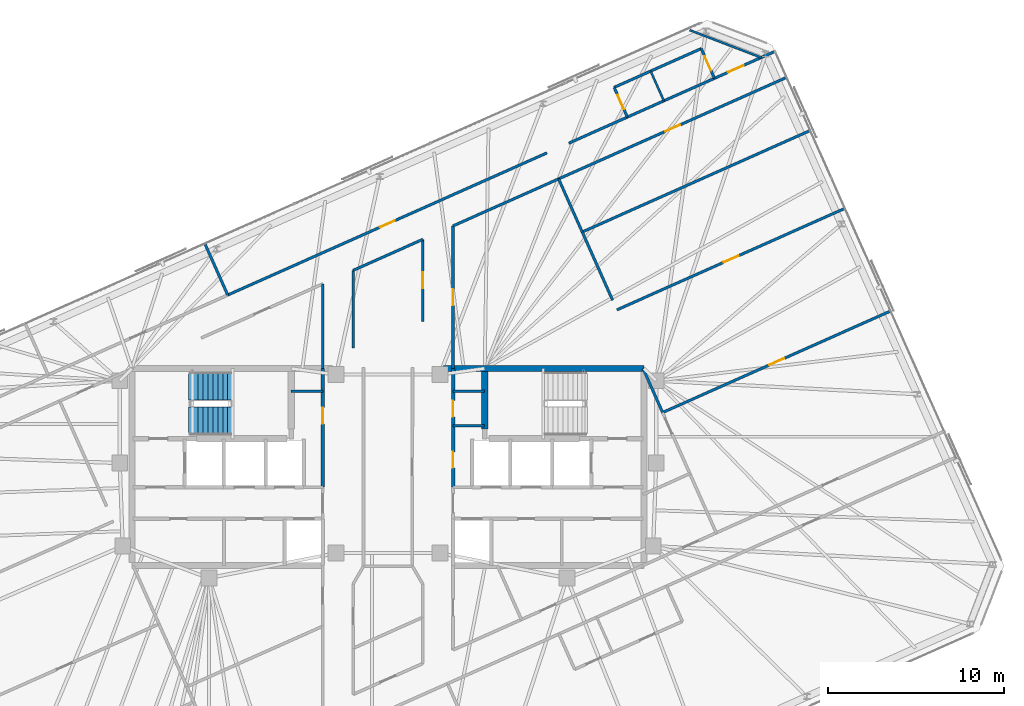
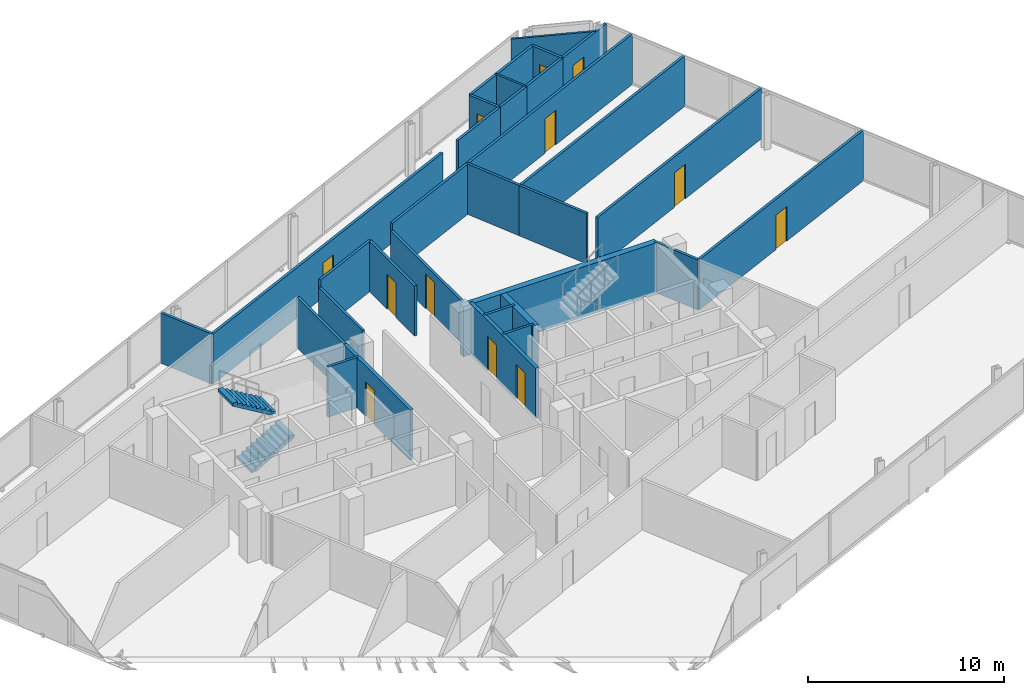
# One storey, part 16 of 18: 32 walls, 12 doors, 2 stair flights, 12 openings, 1 element without a shape of its own.
"""IFC4 building model written with IfcOpenShell, lengths in metres."""

from ifc_helpers import new_model, si_unit, direction, frame, frame_2d, origin, place, context, subcontext, project, spatial, polyline, rectangle, outline, extrude, material, layer, layer_set, type_object, element, fill, aggregate, save


model = new_model("IFC4")

# Units and contexts
model_context = context("Model", 3, precision=1e-05, world=origin(), true_north=direction((0.0, 1.0)))
body_context = subcontext(model_context, "Body", "Model", "MODEL_VIEW")
ifc_project = project(units=[si_unit("LENGTHUNIT", "METRE"), si_unit("AREAUNIT", "SQUARE_METRE"), si_unit("VOLUMEUNIT", "CUBIC_METRE"), si_unit("PLANEANGLEUNIT", "RADIAN"), si_unit("MASSUNIT", "GRAM", prefix="KILO")], contexts=[model_context])

# Site, building, storey
site_placement = place(None, origin())
site = spatial("IfcSite", under=ifc_project, at=site_placement, CompositionType="ELEMENT")
building_placement = place(site_placement, origin())
building = spatial("IfcBuilding", under=site, at=building_placement, Name="Menara Jurai Vektor", CompositionType="ELEMENT")
storey_placement = place(building_placement, frame((0.0, 0.0, 258.85009765625)))
storey = spatial("IfcBuildingStorey", under=building, at=storey_placement, Name="L69", CompositionType="ELEMENT", Elevation=258.85009765625)

# Walls
ifc_material_1 = material(Name="Gypsum Fireboard Partition", Category="gypsum")
ifc_layer_1 = layer(ifc_material_1, 0.14990234375)
ifc_layer_set_1 = layer_set([ifc_layer_1], Name="Gypsum Fireboard Partition")
wall_type_1 = type_object("IfcWallType", Name="INT-WALL-CORR-150", PredefinedType="PARTITIONING", material=ifc_layer_set_1)
for number, where, z_axis, x_axis, name in (
    (1, (-5.5, 4.300048828125, 0.0), (0.0, 0.0, 1.0), (1.0, 0.0, 0.0), "Interior Wall IW-150 L69"),
    (2, (3.699951171875, 4.300048828125, 0.0), (0.0, 0.0, 1.0), (1.0, 0.0, 0.0), "Interior Wall IW-150 L69"),
    (3, (3.699951171875, 2.35009765625, 0.0), (0.0, 0.0, 1.0), (1.0, 0.0, 0.0), "Interior Wall IW-150 L69"),
):
    element("IfcWall", number, at=place(storey_placement, frame(where, z_axis=z_axis, x_axis=x_axis)), inside=storey, type_object=wall_type_1, Name=name, PredefinedType="PARTITIONING", context=body_context, shape_type="SweptSolid", body=[
        extrude(rectangle(XDim=1.800048828125, YDim=0.14990234375, at=frame_2d((0.89990234375, 0.0))), origin(), (0.0, 0.0, 1.0), 3.125),
    ])
wall_1_placement = place(storey_placement, frame((10.27880859375, 18.4052734375, 0.0), z_axis=(0.0, 0.0, 1.0), x_axis=(0.913543802, 0.40674036169, 0.0)))
element("IfcWall", 4, at=wall_1_placement, inside=storey, type_object=wall_type_1, Name="Interior Wall IW-150 L69", PredefinedType="PARTITIONING", context=body_context, shape_type="SweptSolid", body=[
    extrude(rectangle(XDim=3.650146484375, YDim=0.14990234375, at=frame_2d((1.8251953125, 0.0))), origin(), (0.0, 0.0, 1.0), 3.125),
])

# Wall, opening, door
wall_2_placement = place(storey_placement, frame((18.564697265625, 22.094482421875, 0.0), z_axis=(0.0, 0.0, 1.0), x_axis=(0.913565694971, 0.406691186249, 0.0)))
wall_2 = element("IfcWall", 5, at=wall_2_placement, inside=storey, type_object=wall_type_1, Name="Interior Wall IW-150 L69", PredefinedType="PARTITIONING", context=body_context, shape_type="SweptSolid", body=[
    extrude(rectangle(XDim=3.77001953125, YDim=0.14990234375, at=frame_2d((1.885009765625, 0.0))), origin(), (0.0, 0.0, 1.0), 3.125),
])
opening_1_placement = place(wall_2_placement, frame((0.844482421875, 0.0, 0.0)))
opening_1 = element("IfcOpeningElement", 6, at=opening_1_placement, cuts=wall_2, Name="Opening D69-09", PredefinedType="OPENING", context=body_context, shape_type="SweptSolid", body=[
    extrude(rectangle(XDim=0.949951171875, YDim=2.14990234375, at=frame_2d((0.47509765625, 1.074951171875))), frame((0.0, 0.0849609375, 0.0), z_axis=(0.0, -1.0, 0.0), x_axis=(1.0, 0.0, 0.0)), (0.0, 0.0, 1.0), 0.169921875),
])
ifc_material_2 = material(Name="Solid Core Timber Fire Door", Category="wood")
door_type_1 = type_object("IfcDoorType", Name="DR-ENTRY-950", OperationType="NOTDEFINED", PredefinedType="DOOR", material=ifc_material_2)
door_1_placement = place(opening_1_placement, origin())
door_1 = element("IfcDoor", 7, at=door_1_placement, inside=storey, type_object=door_type_1, Name="Interior Door D69-09", OperationType="SINGLE_SWING_RIGHT", OverallHeight=2.14990234375, OverallWidth=0.949951171875, PredefinedType="DOOR", context=body_context, shape_type="SweptSolid", body=[
    extrude(rectangle(XDim=0.949951171875, YDim=2.14990234375, at=frame_2d((0.47509765625, 1.074951171875))), frame((0.0, 0.02490234375, 0.0), z_axis=(0.0, -1.0, 0.0), x_axis=(1.0, 0.0, 0.0)), (0.0, 0.0, 1.0), 0.050048828125),
])
fill(opening_1, door_1)

# Walls
wall_3_placement = place(storey_placement, frame((13.61328125, 19.889892578125, 0.0), z_axis=(0.0, 0.0, 1.0), x_axis=(0.913536363976, 0.406757067172, 0.0)))
element("IfcWall", 8, at=wall_3_placement, inside=storey, type_object=wall_type_1, Name="Interior Wall IW-150 L69", PredefinedType="PARTITIONING", context=body_context, shape_type="SweptSolid", body=[
    extrude(rectangle(XDim=2.27001953125, YDim=0.14990234375, at=frame_2d((1.135009765625, 0.0))), origin(), (0.0, 0.0, 1.0), 3.125),
])
wall_4_placement = place(storey_placement, frame((15.68701171875, 20.813232421875, 0.0), z_axis=(0.0, 0.0, 1.0), x_axis=(0.913542880558, 0.406742431252, 0.0)))
element("IfcWall", 9, at=wall_4_placement, inside=storey, type_object=wall_type_1, Name="Interior Wall IW-150 L69", PredefinedType="PARTITIONING", context=body_context, shape_type="SweptSolid", body=[
    extrude(rectangle(XDim=3.150146484375, YDim=0.14990234375, at=frame_2d((1.5751953125, 0.0))), origin(), (0.0, 0.0, 1.0), 3.125),
])
wall_5_placement = place(storey_placement, frame((3.69970703125, 13.702880859375, 0.0), z_axis=(0.0, 0.0, 1.0), x_axis=(0.913549363376, 0.406727870542, 0.0)))
element("IfcWall", 10, at=wall_5_placement, inside=storey, type_object=wall_type_1, Name="Interior Wall IW-150 L69", PredefinedType="PARTITIONING", context=body_context, shape_type="SweptSolid", body=[
    extrude(rectangle(XDim=6.571044921875, YDim=0.14990234375, at=frame_2d((3.28564453125, 0.0))), origin(), (0.0, 0.0, 1.0), 3.125),
])
wall_6_placement = place(storey_placement, frame((-1.979736328125, 11.174072265625, 0.0), z_axis=(0.0, 0.0, 1.0), x_axis=(0.913546598225, 0.406734081276, 0.0)))
element("IfcWall", 11, at=wall_6_placement, inside=storey, type_object=wall_type_1, Name="Interior Wall IW-150 L69", PredefinedType="PARTITIONING", context=body_context, shape_type="SweptSolid", body=[
    extrude(rectangle(XDim=4.3349609375, YDim=0.14990234375, at=frame_2d((2.16748046875, 0.0))), origin(), (0.0, 0.0, 1.0), 3.125),
])

# Wall, opening, door
wall_7_placement = place(storey_placement, frame((1.980224609375, 8.274169921875, 0.0), z_axis=(0.0, 0.0, 1.0), x_axis=(5.2356021e-05, 0.999999998629, 0.0)))
wall_7 = element("IfcWall", 12, at=wall_7_placement, inside=storey, type_object=wall_type_1, Name="Interior Wall IW-150 L69", PredefinedType="PARTITIONING", context=body_context, shape_type="SweptSolid", body=[
    extrude(rectangle(XDim=4.6630859375, YDim=0.14990234375, at=frame_2d((2.33154296875, 0.0))), origin(), (0.0, 0.0, 1.0), 3.125),
])
opening_2_placement = place(wall_7_placement, frame((1.87158203125, 0.0, 0.0)))
opening_2 = element("IfcOpeningElement", 13, at=opening_2_placement, cuts=wall_7, Name="Opening D69-34", PredefinedType="OPENING", context=body_context, shape_type="SweptSolid", body=[
    extrude(rectangle(XDim=0.919921875, YDim=2.14990234375, at=frame_2d((0.4599609375, 1.074951171875))), frame((0.0, 0.0849609375, 0.0), z_axis=(0.0, -1.0, 0.0), x_axis=(1.0, 0.0, 0.0)), (0.0, 0.0, 1.0), 0.169921875),
])
door_2_placement = place(opening_2_placement, origin())
door_2 = element("IfcDoor", 14, at=door_2_placement, inside=storey, type_object=door_type_1, Name="Interior Door D69-34", OperationType="SINGLE_SWING_LEFT", OverallHeight=2.14990234375, OverallWidth=0.919921875, PredefinedType="DOOR", context=body_context, shape_type="SweptSolid", body=[
    extrude(rectangle(XDim=0.919921875, YDim=2.14990234375, at=frame_2d((0.4599609375, 1.074951171875))), frame((0.0, 0.02490234375, 0.0), z_axis=(0.0, -1.0, 0.0), x_axis=(1.0, 0.0, 0.0)), (0.0, 0.0, 1.0), 0.050048828125),
])
fill(opening_2, door_2)

# Wall
wall_8_placement = place(storey_placement, frame((-3.7001953125, 5.599609375, 0.0), z_axis=(0.0, 0.0, 1.0), x_axis=(5.077173e-05, 0.999999998711, 0.0)))
element("IfcWall", 15, at=wall_8_placement, inside=storey, type_object=wall_type_1, Name="Interior Wall IW-150 L69", PredefinedType="PARTITIONING", context=body_context, shape_type="SweptSolid", body=[
    extrude(rectangle(XDim=4.80859375, YDim=0.14990234375, at=frame_2d((2.404296875, 0.0))), origin(), (0.0, 0.0, 1.0), 3.125),
])

# Wall, opening, door
wall_9_placement = place(storey_placement, frame((-9.109375, 9.773193359375, 0.0), z_axis=(0.0, 0.0, 1.0), x_axis=(0.913545361298, 0.406736859469, 0.0)))
wall_9 = element("IfcWall", 16, at=wall_9_placement, inside=storey, type_object=wall_type_1, Name="Interior Wall IW-150 L69", PredefinedType="PARTITIONING", context=body_context, shape_type="SweptSolid", body=[
    extrude(rectangle(XDim=19.87109375, YDim=0.14990234375, at=frame_2d((9.935546875, 0.0))), origin(), (0.0, 0.0, 1.0), 3.125),
])
opening_3_placement = place(wall_9_placement, frame((9.4755859375, 0.0, 0.0)))
opening_3 = element("IfcOpeningElement", 17, at=opening_3_placement, cuts=wall_9, Name="Opening D69-37", PredefinedType="OPENING", context=body_context, shape_type="SweptSolid", body=[
    extrude(rectangle(XDim=0.919921875, YDim=2.14990234375, at=frame_2d((0.4599609375, 1.074951171875))), frame((0.0, 0.0849609375, 0.0), z_axis=(0.0, -1.0, 0.0), x_axis=(1.0, 0.0, 0.0)), (0.0, 0.0, 1.0), 0.169921875),
])
door_3_placement = place(opening_3_placement, origin())
door_3 = element("IfcDoor", 18, at=door_3_placement, inside=storey, type_object=door_type_1, Name="Interior Door D69-37", OperationType="SINGLE_SWING_RIGHT", OverallHeight=2.14990234375, OverallWidth=0.919921875, PredefinedType="DOOR", context=body_context, shape_type="SweptSolid", body=[
    extrude(rectangle(XDim=0.919921875, YDim=2.14990234375, at=frame_2d((0.4599609375, 1.074951171875))), frame((0.0, 0.02490234375, 0.0), z_axis=(0.0, -1.0, 0.0), x_axis=(1.0, 0.0, 0.0)), (0.0, 0.0, 1.0), 0.050048828125),
])
fill(opening_3, door_3)

wall_10_placement = place(storey_placement, frame((9.70263671875, 16.37548828125, 0.0), z_axis=(0.0, 0.0, 1.0), x_axis=(0.913544622417, 0.406738519018, 0.0)))
wall_10 = element("IfcWall", 19, at=wall_10_placement, inside=storey, type_object=wall_type_1, Name="Interior Wall IW-150 L69", PredefinedType="PARTITIONING", context=body_context, shape_type="SweptSolid", body=[
    extrude(rectangle(XDim=14.192138671875, YDim=0.14990234375, at=frame_2d((7.09619140625, 0.0))), origin(), (0.0, 0.0, 1.0), 3.125),
])
opening_4_placement = place(wall_10_placement, frame((6.635986328125, 0.0, 0.0)))
opening_4 = element("IfcOpeningElement", 20, at=opening_4_placement, cuts=wall_10, Name="Opening D69-41", PredefinedType="OPENING", context=body_context, shape_type="SweptSolid", body=[
    extrude(rectangle(XDim=0.919921875, YDim=2.14990234375, at=frame_2d((0.4599609375, 1.074951171875))), frame((0.0, 0.0849609375, 0.0), z_axis=(0.0, -1.0, 0.0), x_axis=(1.0, 0.0, 0.0)), (0.0, 0.0, 1.0), 0.169921875),
])
door_4_placement = place(opening_4_placement, origin())
door_4 = element("IfcDoor", 21, at=door_4_placement, inside=storey, type_object=door_type_1, Name="Interior Door D69-41", OperationType="SINGLE_SWING_RIGHT", OverallHeight=2.14990234375, OverallWidth=0.919921875, PredefinedType="DOOR", context=body_context, shape_type="SweptSolid", body=[
    extrude(rectangle(XDim=0.919921875, YDim=2.14990234375, at=frame_2d((0.4599609375, 1.074951171875))), frame((0.0, 0.02490234375, 0.0), z_axis=(0.0, -1.0, 0.0), x_axis=(1.0, 0.0, 0.0)), (0.0, 0.0, 1.0), 0.050048828125),
])
fill(opening_4, door_4)

wall_11_placement = place(storey_placement, frame((13.61328125, 19.889892578125, 0.0), z_axis=(0.0, 0.0, 1.0), x_axis=(-0.406701600856, 0.913561058639, 0.0)))
wall_11 = element("IfcWall", 22, at=wall_11_placement, inside=storey, type_object=wall_type_1, Name="Interior Wall IW-150 L69", PredefinedType="PARTITIONING", context=body_context, shape_type="SweptSolid", body=[
    extrude(rectangle(XDim=1.85009765625, YDim=0.14990234375, at=frame_2d((0.925048828125, 0.0))), origin(), (0.0, 0.0, 1.0), 3.125),
])
opening_5_placement = place(wall_11_placement, frame((0.485107421875, 0.0, 0.0)))
opening_5 = element("IfcOpeningElement", 23, at=opening_5_placement, cuts=wall_11, Name="Opening D69-10", PredefinedType="OPENING", context=body_context, shape_type="SweptSolid", body=[
    extrude(rectangle(XDim=0.8798828125, YDim=2.14990234375, at=frame_2d((0.43994140625, 1.074951171875))), frame((0.0, 0.0849609375, 0.0), z_axis=(0.0, -1.0, 0.0), x_axis=(1.0, 0.0, 0.0)), (0.0, 0.0, 1.0), 0.169921875),
])
ifc_material_3 = material(Name="Moisture-Resistant Timber Door", Category="wood")
door_type_2 = type_object("IfcDoorType", Name="DR-BATH-880", OperationType="NOTDEFINED", PredefinedType="DOOR", material=ifc_material_3)
door_5_placement = place(opening_5_placement, origin())
door_5 = element("IfcDoor", 24, at=door_5_placement, inside=storey, type_object=door_type_2, Name="Interior Door D69-10", OperationType="SINGLE_SWING_LEFT", OverallHeight=2.14990234375, OverallWidth=0.8798828125, PredefinedType="DOOR", context=body_context, shape_type="SweptSolid", body=[
    extrude(rectangle(XDim=0.8798828125, YDim=2.14990234375, at=frame_2d((0.43994140625, 1.074951171875))), frame((0.0, 0.02490234375, 0.0), z_axis=(0.0, -1.0, 0.0), x_axis=(1.0, 0.0, 0.0)), (0.0, 0.0, 1.0), 0.050048828125),
])
fill(opening_5, door_5)

# Walls
wall_12_placement = place(storey_placement, frame((12.86083984375, 21.580078125, 0.0), z_axis=(0.0, 0.0, 1.0), x_axis=(0.913536363976, 0.406757067172, 0.0)))
element("IfcWall", 25, at=wall_12_placement, inside=storey, type_object=wall_type_1, Name="Interior Wall IW-150 L69", PredefinedType="PARTITIONING", context=body_context, shape_type="SweptSolid", body=[
    extrude(rectangle(XDim=2.27001953125, YDim=0.14990234375, at=frame_2d((1.135009765625, 0.0))), origin(), (0.0, 0.0, 1.0), 3.125),
])
wall_13_placement = place(storey_placement, frame((14.9345703125, 22.50341796875, 0.0), z_axis=(0.0, 0.0, 1.0), x_axis=(0.913571677955, 0.406677746181, 0.0)))
element("IfcWall", 26, at=wall_13_placement, inside=storey, type_object=wall_type_1, Name="Interior Wall IW-150 L69", PredefinedType="PARTITIONING", context=body_context, shape_type="SweptSolid", body=[
    extrude(rectangle(XDim=3.14990234375, YDim=0.14990234375, at=frame_2d((1.574951171875, 0.0))), origin(), (0.0, 0.0, 1.0), 3.125),
])

# Wall, opening, door
wall_14_placement = place(storey_placement, frame((18.564697265625, 22.094482421875, 0.0), z_axis=(0.0, 0.0, 1.0), x_axis=(-0.406750635596, 0.913539227643, 0.0)))
wall_14 = element("IfcWall", 27, at=wall_14_placement, inside=storey, type_object=wall_type_1, Name="Interior Wall IW-150 L69", PredefinedType="PARTITIONING", context=body_context, shape_type="SweptSolid", body=[
    extrude(rectangle(XDim=1.849853515625, YDim=0.14990234375, at=frame_2d((0.9248046875, 0.0))), origin(), (0.0, 0.0, 1.0), 3.125),
])
opening_6_placement = place(wall_14_placement, frame((0.47509765625, 0.0, 0.0)))
opening_6 = element("IfcOpeningElement", 28, at=opening_6_placement, cuts=wall_14, Name="Opening D69-11", PredefinedType="OPENING", context=body_context, shape_type="SweptSolid", body=[
    extrude(rectangle(XDim=0.89990234375, YDim=2.14990234375, at=frame_2d((0.449951171875, 1.074951171875))), frame((0.0, 0.0849609375, 0.0), z_axis=(0.0, -1.0, 0.0), x_axis=(1.0, 0.0, 0.0)), (0.0, 0.0, 1.0), 0.169921875),
])
ifc_material_4 = material(Name="Acoustic Timber Interior Door", Category="wood")
door_type_3 = type_object("IfcDoorType", Name="DR-ROOM-900", OperationType="NOTDEFINED", PredefinedType="DOOR", material=ifc_material_4)
door_6_placement = place(opening_6_placement, origin())
door_6 = element("IfcDoor", 29, at=door_6_placement, inside=storey, type_object=door_type_3, Name="Interior Door D69-11", OperationType="SINGLE_SWING_RIGHT", OverallHeight=2.14990234375, OverallWidth=0.89990234375, PredefinedType="DOOR", context=body_context, shape_type="SweptSolid", body=[
    extrude(rectangle(XDim=0.89990234375, YDim=2.14990234375, at=frame_2d((0.449951171875, 1.074951171875))), frame((0.0, 0.02490234375, 0.0), z_axis=(0.0, -1.0, 0.0), x_axis=(1.0, 0.0, 0.0)), (0.0, 0.0, 1.0), 0.050048828125),
])
fill(opening_6, door_6)

# Walls
wall_15_placement = place(storey_placement, frame((15.61572265625, 3.094482421875, 0.0), z_axis=(0.0, 0.0, 1.0), x_axis=(-0.406782551453, 0.913525016534, 0.0)))
element("IfcWall", 30, at=wall_15_placement, inside=storey, type_object=wall_type_1, Name="Interior Wall IW-150 L69", PredefinedType="PARTITIONING", context=body_context, shape_type="SweptSolid", body=[
    extrude(rectangle(XDim=2.742919921875, YDim=0.14990234375, at=frame_2d((1.37158203125, 0.0))), origin(), (0.0, 0.0, 1.0), 3.125),
])
wall_16_placement = place(storey_placement, frame((12.773193359375, 9.47900390625, 0.0), z_axis=(0.0, 0.0, 1.0), x_axis=(-0.406762672331, 0.913533868227, 0.0)))
element("IfcWall", 31, at=wall_16_placement, inside=storey, type_object=wall_type_1, Name="Interior Wall IW-150 L69", PredefinedType="PARTITIONING", context=body_context, shape_type="SweptSolid", body=[
    extrude(rectangle(XDim=4.245361328125, YDim=0.14990234375, at=frame_2d((2.12255859375, 0.0))), origin(), (0.0, 0.0, 1.0), 3.125),
])
wall_17_placement = place(storey_placement, frame((11.04638671875, 13.357177734375, 0.0), z_axis=(0.0, 0.0, 1.0), x_axis=(-0.406714303965, 0.913555403328, 0.0)))
element("IfcWall", 32, at=wall_17_placement, inside=storey, type_object=wall_type_1, Name="Interior Wall IW-150 L69", PredefinedType="PARTITIONING", context=body_context, shape_type="SweptSolid", body=[
    extrude(rectangle(XDim=3.303955078125, YDim=0.14990234375, at=frame_2d((1.65185546875, 0.0))), origin(), (0.0, 0.0, 1.0), 3.125),
])
wall_18_placement = place(storey_placement, frame((-9.109375, 9.773193359375, 0.0), z_axis=(0.0, 0.0, 1.0), x_axis=(-0.406698002142, 0.913562660716, 0.0)))
element("IfcWall", 33, at=wall_18_placement, inside=storey, type_object=wall_type_1, Name="Interior Wall IW-150 L69", PredefinedType="PARTITIONING", context=body_context, shape_type="SweptSolid", body=[
    extrude(rectangle(XDim=3.19775390625, YDim=0.14990234375, at=frame_2d((1.598876953125, 0.0))), origin(), (0.0, 0.0, 1.0), 3.125),
])

# Wall, opening, door
wall_19_placement = place(storey_placement, frame((15.61572265625, 3.094482421875, 0.0), z_axis=(0.0, 0.0, 1.0), x_axis=(0.913551014388, 0.406724162191, 0.0)))
wall_19 = element("IfcWall", 34, at=wall_19_placement, inside=storey, type_object=wall_type_1, Name="Interior Wall IW-150 L69", PredefinedType="PARTITIONING", context=body_context, shape_type="SweptSolid", body=[
    extrude(rectangle(XDim=14.19189453125, YDim=0.14990234375, at=frame_2d((7.095947265625, 0.0))), origin(), (0.0, 0.0, 1.0), 3.125),
])
opening_7_placement = place(wall_19_placement, frame((6.635986328125, 0.0, 0.0)))
opening_7 = element("IfcOpeningElement", 35, at=opening_7_placement, cuts=wall_19, Name="Opening D69-39", PredefinedType="OPENING", context=body_context, shape_type="SweptSolid", body=[
    extrude(rectangle(XDim=0.919921875, YDim=2.14990234375, at=frame_2d((0.4599609375, 1.074951171875))), frame((0.0, 0.0849609375, 0.0), z_axis=(0.0, -1.0, 0.0), x_axis=(1.0, 0.0, 0.0)), (0.0, 0.0, 1.0), 0.169921875),
])
door_7_placement = place(opening_7_placement, origin())
door_7 = element("IfcDoor", 36, at=door_7_placement, inside=storey, type_object=door_type_1, Name="Interior Door D69-39", OperationType="SINGLE_SWING_RIGHT", OverallHeight=2.14990234375, OverallWidth=0.919921875, PredefinedType="DOOR", context=body_context, shape_type="SweptSolid", body=[
    extrude(rectangle(XDim=0.919921875, YDim=2.14990234375, at=frame_2d((0.4599609375, 1.074951171875))), frame((0.0, 0.02490234375, 0.0), z_axis=(0.0, -1.0, 0.0), x_axis=(1.0, 0.0, 0.0)), (0.0, 0.0, 1.0), 0.050048828125),
])
fill(opening_7, door_7)

wall_20_placement = place(storey_placement, frame((13.017578125, 8.93017578125, 0.0), z_axis=(0.0, 0.0, 1.0), x_axis=(0.913551014388, 0.406724162191, 0.0)))
wall_20 = element("IfcWall", 37, at=wall_20_placement, inside=storey, type_object=wall_type_1, Name="Interior Wall IW-150 L69", PredefinedType="PARTITIONING", context=body_context, shape_type="SweptSolid", body=[
    extrude(rectangle(XDim=14.19189453125, YDim=0.14990234375, at=frame_2d((7.095947265625, 0.0))), origin(), (0.0, 0.0, 1.0), 3.125),
])
opening_8_placement = place(wall_20_placement, frame((6.635986328125, 0.0, 0.0)))
opening_8 = element("IfcOpeningElement", 38, at=opening_8_placement, cuts=wall_20, Name="Opening D69-40", PredefinedType="OPENING", context=body_context, shape_type="SweptSolid", body=[
    extrude(rectangle(XDim=0.919921875, YDim=2.14990234375, at=frame_2d((0.4599609375, 1.074951171875))), frame((0.0, 0.0849609375, 0.0), z_axis=(0.0, -1.0, 0.0), x_axis=(1.0, 0.0, 0.0)), (0.0, 0.0, 1.0), 0.169921875),
])
door_8_placement = place(opening_8_placement, origin())
door_8 = element("IfcDoor", 39, at=door_8_placement, inside=storey, type_object=door_type_1, Name="Interior Door D69-40", OperationType="SINGLE_SWING_LEFT", OverallHeight=2.14990234375, OverallWidth=0.919921875, PredefinedType="DOOR", context=body_context, shape_type="SweptSolid", body=[
    extrude(rectangle(XDim=0.919921875, YDim=2.14990234375, at=frame_2d((0.4599609375, 1.074951171875))), frame((0.0, 0.02490234375, 0.0), z_axis=(0.0, -1.0, 0.0), x_axis=(1.0, 0.0, 0.0)), (0.0, 0.0, 1.0), 0.050048828125),
])
fill(opening_8, door_8)

# Wall
wall_21_placement = place(storey_placement, frame((11.04638671875, 13.357177734375, 0.0), z_axis=(0.0, 0.0, 1.0), x_axis=(0.913553860075, 0.406717770379, 0.0)))
element("IfcWall", 40, at=wall_21_placement, inside=storey, type_object=wall_type_1, Name="Interior Wall IW-150 L69", PredefinedType="PARTITIONING", context=body_context, shape_type="SweptSolid", body=[
    extrude(rectangle(XDim=14.192138671875, YDim=0.14990234375, at=frame_2d((7.09619140625, 0.0))), origin(), (0.0, 0.0, 1.0), 3.125),
])

# Wall, opening, door
ifc_layer_2 = layer(ifc_material_1, 0.14990234375)
ifc_layer_set_2 = layer_set([ifc_layer_2], Name="Gypsum Fireboard Partition")
wall_type_2 = type_object("IfcWallType", Name="INT-WALL-CORR-150-H1", PredefinedType="PARTITIONING", material=ifc_layer_set_2)
wall_22_placement = place(storey_placement, frame((3.7001953125, 5.6005859375, 0.0), z_axis=(0.0, 0.0, 1.0), x_axis=(-6.0264561e-05, 0.999999998184, 0.0)))
wall_22 = element("IfcWall", 41, at=wall_22_placement, inside=storey, type_object=wall_type_2, Name="Interior Wall IW-150 L69", PredefinedType="PARTITIONING", context=body_context, shape_type="SweptSolid", body=[
    extrude(rectangle(XDim=8.102294921875, YDim=0.14990234375, at=frame_2d((4.05126953125, 0.0))), origin(), (0.0, 0.0, 1.0), 2.6748046875),
])
opening_9_placement = place(wall_22_placement, frame((3.591064453125, 0.0, 0.0)))
opening_9 = element("IfcOpeningElement", 42, at=opening_9_placement, cuts=wall_22, Name="Opening D69-32", PredefinedType="OPENING", context=body_context, shape_type="SweptSolid", body=[
    extrude(rectangle(XDim=0.919921875, YDim=2.14990234375, at=frame_2d((0.4599609375, 1.074951171875))), frame((0.0, 0.0849609375, 0.0), z_axis=(0.0, -1.0, 0.0), x_axis=(1.0, 0.0, 0.0)), (0.0, 0.0, 1.0), 0.169921875),
])
door_9_placement = place(opening_9_placement, origin())
door_9 = element("IfcDoor", 43, at=door_9_placement, inside=storey, type_object=door_type_1, Name="Interior Door D69-32", OperationType="SINGLE_SWING_LEFT", OverallHeight=2.14990234375, OverallWidth=0.919921875, PredefinedType="DOOR", context=body_context, shape_type="SweptSolid", body=[
    extrude(rectangle(XDim=0.919921875, YDim=2.14990234375, at=frame_2d((0.4599609375, 1.074951171875))), frame((0.0, 0.02490234375, 0.0), z_axis=(0.0, -1.0, 0.0), x_axis=(1.0, 0.0, 0.0)), (0.0, 0.0, 1.0), 0.050048828125),
])
fill(opening_9, door_9)

# Walls
wall_23_placement = place(storey_placement, frame((-1.979736328125, 6.74853515625, 0.0), z_axis=(0.0, 0.0, 1.0), x_axis=(0.0, 1.0, 0.0)))
element("IfcWall", 44, at=wall_23_placement, inside=storey, type_object=wall_type_2, Name="Interior Wall IW-150 L69", PredefinedType="PARTITIONING", context=body_context, shape_type="SweptSolid", body=[
    extrude(rectangle(XDim=4.425537109375, YDim=0.14990234375, at=frame_2d((2.212890625, 0.0))), origin(), (0.0, 0.0, 1.0), 2.6748046875),
])
ifc_material_5 = material(Name="Gypsum Acoustic Stud Partition", Category="gypsum")
ifc_layer_3 = layer(ifc_material_5, 0.1201171875)
ifc_layer_set_3 = layer_set([ifc_layer_3], Name="Gypsum Acoustic Stud Partition")
wall_type_3 = type_object("IfcWallType", Name="INT-WALL-PART-120", PredefinedType="PARTITIONING", material=ifc_layer_set_3)
wall_24_placement = place(storey_placement, frame((15.68701171875, 20.813232421875, 0.0), z_axis=(0.0, 0.0, 1.0), x_axis=(-0.406701600856, 0.913561058639, 0.0)))
element("IfcWall", 45, at=wall_24_placement, inside=storey, type_object=wall_type_3, Name="Interior Wall IW-120 L69", PredefinedType="PARTITIONING", context=body_context, shape_type="SweptSolid", body=[
    extrude(rectangle(XDim=1.85009765625, YDim=0.1201171875, at=frame_2d((0.925048828125, 0.0))), origin(), (0.0, 0.0, 1.0), 3.125),
])
wall_25_placement = place(storey_placement, frame((17.152587890625, 24.835205078125, 0.0), z_axis=(0.0, 0.0, 1.0), x_axis=(0.933583889907, -0.358358926924, 0.0)))
element("IfcWall", 46, at=wall_25_placement, inside=storey, type_object=wall_type_3, Name="Interior Wall IW-120 L69", PredefinedType="PARTITIONING", context=body_context, shape_type="SweptSolid", body=[
    extrude(rectangle(XDim=4.353271484375, YDim=0.1201171875, at=frame_2d((2.1767578125, 0.0))), origin(), (0.0, 0.0, 1.0), 3.125),
])

# Wall, opening, door
ifc_material_6 = material(Name="Concrete C40/50", Category="concrete")
ifc_layer_4 = layer(ifc_material_6, 0.199951171875)
ifc_layer_set_4 = layer_set([ifc_layer_4], Name="Concrete C40/50")
wall_type_4 = type_object("IfcWallType", Name="INT-WALL-SHAFT-200", PredefinedType="STANDARD", material=ifc_layer_set_4)
wall_26_placement = place(storey_placement, frame((-3.699951171875, -1.14990234375, 0.0), z_axis=(0.0, 0.0, 1.0), x_axis=(0.0, 1.0, 0.0)))
wall_26 = element("IfcWall", 47, at=wall_26_placement, inside=storey, type_object=wall_type_4, Name="Interior Wall IW-200 L69", PredefinedType="STANDARD", context=body_context, shape_type="SweptSolid", body=[
    extrude(rectangle(XDim=6.75, YDim=0.199951171875, at=frame_2d((3.375, 0.0))), origin(), (0.0, 0.0, 1.0), 3.125),
])
opening_10_placement = place(wall_26_placement, frame((3.60009765625, 0.0, 0.0)))
opening_10 = element("IfcOpeningElement", 48, at=opening_10_placement, cuts=wall_26, Name="Opening D69-03", PredefinedType="OPENING", context=body_context, shape_type="SweptSolid", body=[
    extrude(rectangle(XDim=0.919921875, YDim=2.14990234375, at=frame_2d((0.4599609375, 1.074951171875))), frame((0.0, 0.10986328125, 0.0), z_axis=(0.0, -1.0, 0.0), x_axis=(1.0, 0.0, 0.0)), (0.0, 0.0, 1.0), 0.219970703125),
])
door_10_placement = place(opening_10_placement, origin())
door_10 = element("IfcDoor", 49, at=door_10_placement, inside=storey, type_object=door_type_1, Name="Interior Door D69-03", OperationType="SINGLE_SWING_LEFT", OverallHeight=2.14990234375, OverallWidth=0.919921875, PredefinedType="DOOR", context=body_context, shape_type="SweptSolid", body=[
    extrude(rectangle(XDim=0.919921875, YDim=2.14990234375, at=frame_2d((0.4599609375, 1.074951171875))), frame((0.0, 0.02490234375, 0.0), z_axis=(0.0, -1.0, 0.0), x_axis=(1.0, 0.0, 0.0)), (0.0, 0.0, 1.0), 0.050048828125),
])
fill(opening_10, door_10)

# Wall, openings, doors
wall_27_placement = place(storey_placement, frame((3.699951171875, -1.14990234375, 0.0), z_axis=(0.0, 0.0, 1.0), x_axis=(0.0, 1.0, 0.0)))
wall_27 = element("IfcWall", 50, at=wall_27_placement, inside=storey, type_object=wall_type_4, Name="Interior Wall IW-200 L69", PredefinedType="STANDARD", context=body_context, shape_type="SweptSolid", body=[
    extrude(rectangle(XDim=6.75, YDim=0.199951171875, at=frame_2d((3.375, 0.0))), origin(), (0.0, 0.0, 1.0), 3.125),
])
opening_11_placement = place(wall_27_placement, frame((1.10009765625, 0.0, 0.0)))
opening_11 = element("IfcOpeningElement", 51, at=opening_11_placement, cuts=wall_27, Name="Opening D69-06", PredefinedType="OPENING", context=body_context, shape_type="SweptSolid", body=[
    extrude(rectangle(XDim=0.89990234375, YDim=2.14990234375, at=frame_2d((0.449951171875, 1.074951171875))), frame((0.0, 0.10986328125, 0.0), z_axis=(0.0, -1.0, 0.0), x_axis=(1.0, 0.0, 0.0)), (0.0, 0.0, 1.0), 0.219970703125),
])
opening_12_placement = place(wall_27_placement, frame((4.0, 0.0, 0.0)))
opening_12 = element("IfcOpeningElement", 52, at=opening_12_placement, cuts=wall_27, Name="Opening D69-07", PredefinedType="OPENING", context=body_context, shape_type="SweptSolid", body=[
    extrude(rectangle(XDim=0.919921875, YDim=2.14990234375, at=frame_2d((0.4599609375, 1.074951171875))), frame((0.0, 0.10986328125, 0.0), z_axis=(0.0, -1.0, 0.0), x_axis=(1.0, 0.0, 0.0)), (0.0, 0.0, 1.0), 0.219970703125),
])
door_11_placement = place(opening_11_placement, origin())
door_11 = element("IfcDoor", 53, at=door_11_placement, inside=storey, type_object=door_type_1, Name="Interior Door D69-06", OperationType="SINGLE_SWING_RIGHT", OverallHeight=2.14990234375, OverallWidth=0.89990234375, PredefinedType="DOOR", context=body_context, shape_type="SweptSolid", body=[
    extrude(rectangle(XDim=0.89990234375, YDim=2.14990234375, at=frame_2d((0.449951171875, 1.074951171875))), frame((0.0, 0.02490234375, 0.0), z_axis=(0.0, -1.0, 0.0), x_axis=(1.0, 0.0, 0.0)), (0.0, 0.0, 1.0), 0.050048828125),
])
fill(opening_11, door_11)
door_12_placement = place(opening_12_placement, origin())
door_12 = element("IfcDoor", 54, at=door_12_placement, inside=storey, type_object=door_type_1, Name="Interior Door D69-07", OperationType="SINGLE_SWING_RIGHT", OverallHeight=2.14990234375, OverallWidth=0.919921875, PredefinedType="DOOR", context=body_context, shape_type="SweptSolid", body=[
    extrude(rectangle(XDim=0.919921875, YDim=2.14990234375, at=frame_2d((0.4599609375, 1.074951171875))), frame((0.0, 0.02490234375, 0.0), z_axis=(0.0, -1.0, 0.0), x_axis=(1.0, 0.0, 0.0)), (0.0, 0.0, 1.0), 0.050048828125),
])
fill(opening_12, door_12)

# Walls
ifc_material_7 = material(Name="Concrete C50/60", Category="concrete")
ifc_layer_5 = layer(ifc_material_7, 0.35009765625)
ifc_layer_set_5 = layer_set([ifc_layer_5], Name="Concrete C50/60")
wall_type_5 = type_object("IfcWallType", Name="STR-WALL-CORE350", PredefinedType="SHEAR", material=ifc_layer_set_5)
wall_28_placement = place(storey_placement, frame((3.14990234375, 5.60009765625, 0.0), z_axis=(0.0, 0.0, 1.0), x_axis=(1.0, 0.0, 0.0)))
element("IfcWall", 55, at=wall_28_placement, inside=storey, type_object=wall_type_5, Name="Core Shear Wall CW-E-N L69", PredefinedType="SHEAR", context=body_context, shape_type="SweptSolid", body=[
    extrude(rectangle(XDim=11.41015625, YDim=0.35009765625, at=frame_2d((5.705078125, 0.0))), origin(), (0.0, 0.0, 1.0), 3.125),
])
wall_29_placement = place(storey_placement, frame((5.5, 2.14990234375, 0.0), z_axis=(0.0, 0.0, 1.0), x_axis=(0.0, 1.0, 0.0)))
element("IfcWall", 56, at=wall_29_placement, inside=storey, type_object=wall_type_5, Name="Core Shear Wall CW-E-ST L69", PredefinedType="SHEAR", context=body_context, shape_type="SweptSolid", body=[
    extrude(rectangle(XDim=3.275146484375, YDim=0.35009765625, at=frame_2d((1.6376953125, 0.0))), origin(), (0.0, 0.0, 1.0), 3.125),
])

# Stair, stair flights
stair_type = type_object("IfcStairType", Name="STAIR-DOGLEG-1500", PredefinedType="HALF_TURN_STAIR", material=ifc_material_6)
stair_placement = place(storey_placement, origin())
stair = element("IfcStair", 57, at=stair_placement, inside=storey, type_object=stair_type, Name="Protected Exit Stair ST1 L69", PredefinedType="HALF_TURN_STAIR")
stair_flight_type = type_object("IfcStairFlightType", Name="STAIR-FLIGHT-1500", PredefinedType="STRAIGHT", material=ifc_material_6)
stair_flight_1_placement = place(storey_placement, frame((-11.35009765625, 2.64990234375, 0.0), z_axis=(0.0, 0.0, 1.0), x_axis=(1.0, 0.0, 0.0)))
stair_flight_1 = element("IfcStairFlight", 58, at=stair_flight_1_placement, type_object=stair_flight_type, Name="ST1 flight 1", NumberOfRisers=10, NumberOfTreads=9, PredefinedType="STRAIGHT", RiserHeight=0.1675, TreadLength=0.28, context=body_context, shape_type="SweptSolid", body=[
    extrude(outline(polyline([(0.0, 0.0), (0.0, 0.16748046875), (0.280029296875, 0.16748046875), (0.280029296875, 0.3349609375), (0.56005859375, 0.3349609375), (0.56005859375, 0.50244140625), (0.840087890625, 0.50244140625), (0.840087890625, 0.669921875), (1.1201171875, 0.669921875), (1.1201171875, 0.83740234375), (1.39990234375, 0.83740234375), (1.39990234375, 1.0048828125), (1.679931640625, 1.0048828125), (1.679931640625, 1.172607421875), (1.9599609375, 1.172607421875), (1.9599609375, 1.340087890625), (2.239990234375, 1.340087890625), (2.239990234375, 1.507568359375), (2.52001953125, 1.507568359375), (2.52001953125, 1.675048828125), (2.52001953125, 1.321044921875), (0.3115234375, 0.0), (0.0, 0.0)])), frame((0.0, 0.75, 0.0), z_axis=(0.0, -1.0, 0.0), x_axis=(1.0, 0.0, 0.0)), (0.0, 0.0, 1.0), 1.5),
])
stair_flight_2_placement = place(storey_placement, frame((-8.830078125, 4.550048828125, 1.6748046875), z_axis=(0.0, 0.0, 1.0), x_axis=(-1.0, 0.0, 0.0)))
stair_flight_2 = element("IfcStairFlight", 59, at=stair_flight_2_placement, type_object=stair_flight_type, Name="ST1 flight 2", NumberOfRisers=10, NumberOfTreads=9, PredefinedType="STRAIGHT", RiserHeight=0.1675, TreadLength=0.28, context=body_context, shape_type="SweptSolid", body=[
    extrude(outline(polyline([(0.0, 0.0), (0.0, 0.16748046875), (0.280029296875, 0.16748046875), (0.280029296875, 0.3349609375), (0.56005859375, 0.3349609375), (0.56005859375, 0.50244140625), (0.840087890625, 0.50244140625), (0.840087890625, 0.669921875), (1.1201171875, 0.669921875), (1.1201171875, 0.83740234375), (1.39990234375, 0.83740234375), (1.39990234375, 1.0048828125), (1.679931640625, 1.0048828125), (1.679931640625, 1.172607421875), (1.9599609375, 1.172607421875), (1.9599609375, 1.340087890625), (2.239990234375, 1.340087890625), (2.239990234375, 1.507568359375), (2.52001953125, 1.507568359375), (2.52001953125, 1.675048828125), (2.52001953125, 1.321044921875), (0.3115234375, 0.0), (0.0, 0.0)])), frame((0.0, 0.75, 0.0), z_axis=(0.0, -1.0, 0.0), x_axis=(1.0, 0.0, 0.0)), (0.0, 0.0, 1.0), 1.5),
])
aggregate(stair, [stair_flight_1, stair_flight_2])

save(model, "model.ifc")
